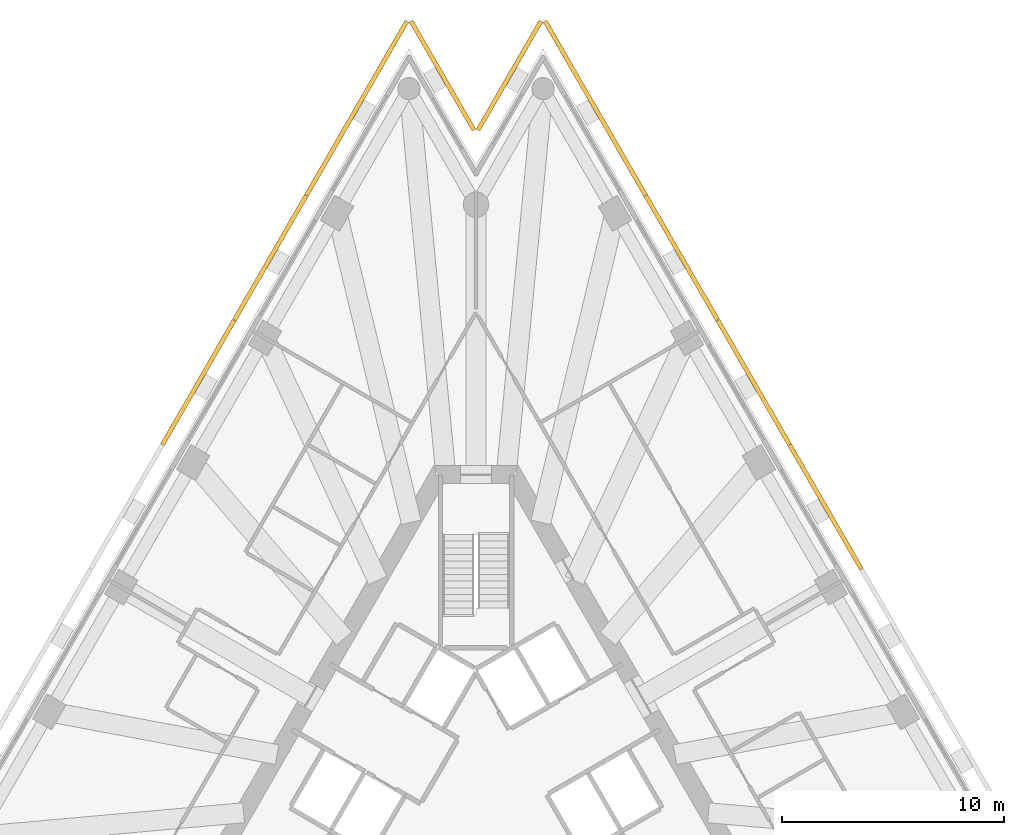
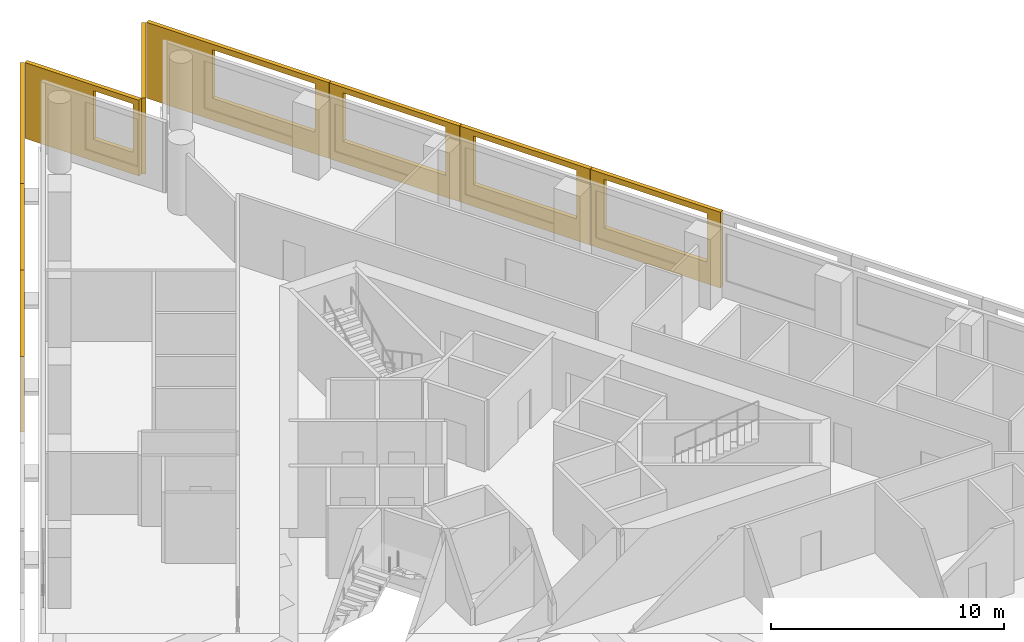
# One storey, part 9 of 9: 9 shading devices.
"""IFC4 building model written with IfcOpenShell, lengths in metres."""

from ifc_helpers import new_model, si_unit, direction, frame, origin, place, context, subcontext, project, spatial, polyline, outline, extrude, material, layer, layer_set, type_object, element, save


model = new_model("IFC4")

# Units and contexts
model_context = context("Model", 3, precision=1e-05, world=origin(), true_north=direction((0.0, 1.0)))
body_context = subcontext(model_context, "Body", "Model", "MODEL_VIEW")
ifc_project = project(units=[si_unit("LENGTHUNIT", "METRE"), si_unit("AREAUNIT", "SQUARE_METRE"), si_unit("VOLUMEUNIT", "CUBIC_METRE"), si_unit("PLANEANGLEUNIT", "RADIAN"), si_unit("MASSUNIT", "GRAM", prefix="KILO")], contexts=[model_context])

# Site, building, storey
site_placement = place(None, origin())
site = spatial("IfcSite", under=ifc_project, at=site_placement, CompositionType="ELEMENT")
building_placement = place(site_placement, origin())
building = spatial("IfcBuilding", under=site, at=building_placement, Name="Triada Interchange Tower", CompositionType="ELEMENT")
storey_placement = place(building_placement, frame((0.0, 0.0, 168.300048828125)))
storey = spatial("IfcBuildingStorey", under=building, at=storey_placement, Name="L39", CompositionType="ELEMENT", Elevation=168.300048828125)

# Shading devices
ifc_material = material(Name="Concrete C50/60 precast", Category="concrete")
ifc_layer_1 = layer(ifc_material, 0.02001953125, Name="Exposed aggregate face")
ifc_layer_2 = layer(ifc_material, 0.179931640625, Name="Precast concrete screen")
ifc_layer_set = layer_set([ifc_layer_1, ifc_layer_2], Name="Outer skin screen panel 3980")
shading_device_type = type_object("IfcShadingDeviceType", Name="Outer skin screen panel 3980", PredefinedType="SHUTTER", material=ifc_layer_set)
shading_device_1_placement = place(storey_placement, frame((-3.02197265625, 34.673095703125, -0.2900390625), z_axis=(0.0, 0.0, 1.0), x_axis=(-0.500002365587, -0.866024038008, 0.0)))
element("IfcShadingDevice", 1, at=shading_device_1_placement, inside=storey, type_object=shading_device_type, Name="Outer skin screen panel L39 01", PredefinedType="SHUTTER", context=body_context, shape_type="SweptSolid", body=[
    extrude(outline(polyline([(0.0, 0.0), (9.06005859375, 0.0), (9.06005859375, 3.97998046875), (0.0, 3.97998046875), (0.0, 0.0)]), holes=[polyline([(3.279541015625, 1.139892578125), (3.279541015625, 3.68994140625), (8.379638671875, 3.68994140625), (8.379638671875, 1.139892578125), (3.279541015625, 1.139892578125)])]), frame((0.0, 0.0, 0.0), z_axis=(0.0, -1.0, 0.0), x_axis=(1.0, 0.0, 0.0)), (0.0, 0.0, 1.0), 0.199951171875),
])
shading_device_2_placement = place(storey_placement, frame((-7.56201171875, 26.81005859375, -0.2900390625), z_axis=(0.0, 0.0, 1.0), x_axis=(-0.499933919793, -0.866063551849, 0.0)))
element("IfcShadingDevice", 2, at=shading_device_2_placement, inside=storey, type_object=shading_device_type, Name="Outer skin screen panel L39 02", PredefinedType="SHUTTER", context=body_context, shape_type="SweptSolid", body=[
    extrude(outline(polyline([(0.0, 0.0), (6.462646484375, 0.0), (6.462646484375, 3.97998046875), (0.0, 3.97998046875), (0.0, 0.0)]), holes=[polyline([(0.681396484375, 1.139892578125), (0.681396484375, 3.68994140625), (5.78125, 3.68994140625), (5.78125, 1.139892578125), (0.681396484375, 1.139892578125)])]), frame((0.0, 0.0, 0.0), z_axis=(0.0, -1.0, 0.0), x_axis=(1.0, 0.0, 0.0)), (0.0, 0.0, 1.0), 0.199951171875),
])
shading_device_3_placement = place(storey_placement, frame((-10.802978515625, 21.196044921875, -0.2900390625), z_axis=(0.0, 0.0, 1.0), x_axis=(-0.499950276492, -0.866054109762, 0.0)))
element("IfcShadingDevice", 3, at=shading_device_3_placement, inside=storey, type_object=shading_device_type, Name="Outer skin screen panel L39 03", PredefinedType="SHUTTER", context=body_context, shape_type="SweptSolid", body=[
    extrude(outline(polyline([(0.0, 0.0), (6.462646484375, 0.0), (6.462646484375, 3.97998046875), (0.0, 3.97998046875), (0.0, 0.0)]), holes=[polyline([(0.68115234375, 1.139892578125), (0.68115234375, 3.68994140625), (5.781005859375, 3.68994140625), (5.781005859375, 1.139892578125), (0.68115234375, 1.139892578125)])]), frame((0.0, 0.0, 0.0), z_axis=(0.0, -1.0, 0.0), x_axis=(1.0, 0.0, 0.0)), (0.0, 0.0, 1.0), 0.199951171875),
])
shading_device_4_placement = place(storey_placement, frame((17.27587890625, 9.986083984375, -0.2900390625), z_axis=(0.0, 0.0, 1.0), x_axis=(-0.500129044967, 0.865950886818, 0.0)))
element("IfcShadingDevice", 4, at=shading_device_4_placement, inside=storey, type_object=shading_device_type, Name="Outer skin screen panel L39 25", PredefinedType="SHUTTER", context=body_context, shape_type="SweptSolid", body=[
    extrude(outline(polyline([(0.0, 0.0), (6.462158203125, 0.0), (6.462158203125, 3.97998046875), (0.0, 3.97998046875), (0.0, 0.0)]), holes=[polyline([(0.681396484375, 1.139892578125), (0.681396484375, 3.68994140625), (5.781494140625, 3.68994140625), (5.781494140625, 1.139892578125), (0.681396484375, 1.139892578125)])]), frame((0.0, 0.0, 0.0), z_axis=(0.0, -1.0, 0.0), x_axis=(1.0, 0.0, 0.0)), (0.0, 0.0, 1.0), 0.199951171875),
])
shading_device_5_placement = place(storey_placement, frame((14.033935546875, 15.59912109375, -0.2900390625), z_axis=(0.0, 0.0, 1.0), x_axis=(-0.499950276492, 0.866054109762, 0.0)))
element("IfcShadingDevice", 5, at=shading_device_5_placement, inside=storey, type_object=shading_device_type, Name="Outer skin screen panel L39 26", PredefinedType="SHUTTER", context=body_context, shape_type="SweptSolid", body=[
    extrude(outline(polyline([(0.0, 0.0), (6.462646484375, 0.0), (6.462646484375, 3.97998046875), (0.0, 3.97998046875), (0.0, 0.0)]), holes=[polyline([(0.68115234375, 1.139892578125), (0.68115234375, 3.68994140625), (5.78125, 3.68994140625), (5.78125, 1.139892578125), (0.68115234375, 1.139892578125)])]), frame((0.0, 0.0, 0.0), z_axis=(0.0, -1.0, 0.0), x_axis=(1.0, 0.0, 0.0)), (0.0, 0.0, 1.0), 0.199951171875),
])
shading_device_6_placement = place(storey_placement, frame((10.79296875, 21.212890625, -0.2900390625), z_axis=(0.0, 0.0, 1.0), x_axis=(-0.499933919793, 0.866063551849, 0.0)))
element("IfcShadingDevice", 6, at=shading_device_6_placement, inside=storey, type_object=shading_device_type, Name="Outer skin screen panel L39 27", PredefinedType="SHUTTER", context=body_context, shape_type="SweptSolid", body=[
    extrude(outline(polyline([(0.0, 0.0), (6.462646484375, 0.0), (6.462646484375, 3.97998046875), (0.0, 3.97998046875), (0.0, 0.0)]), holes=[polyline([(0.680908203125, 1.139892578125), (0.680908203125, 3.68994140625), (5.781005859375, 3.68994140625), (5.781005859375, 1.139892578125), (0.680908203125, 1.139892578125)])]), frame((0.0, 0.0, 0.0), z_axis=(0.0, -1.0, 0.0), x_axis=(1.0, 0.0, 0.0)), (0.0, 0.0, 1.0), 0.199951171875),
])
shading_device_7_placement = place(storey_placement, frame((7.552001953125, 26.826904296875, -0.2900390625), z_axis=(0.0, 0.0, 1.0), x_axis=(-0.500002365587, 0.866024038008, 0.0)))
element("IfcShadingDevice", 7, at=shading_device_7_placement, inside=storey, type_object=shading_device_type, Name="Outer skin screen panel L39 28", PredefinedType="SHUTTER", context=body_context, shape_type="SweptSolid", body=[
    extrude(outline(polyline([(0.0, 0.0), (9.06005859375, 0.0), (9.06005859375, 3.97998046875), (0.0, 3.97998046875), (0.0, 0.0)]), holes=[polyline([(0.6806640625, 1.139892578125), (0.6806640625, 3.68994140625), (5.78076171875, 3.68994140625), (5.78076171875, 1.139892578125), (0.6806640625, 1.139892578125)])]), frame((0.0, 0.0, 0.0), z_axis=(0.0, -1.0, 0.0), x_axis=(1.0, 0.0, 0.0)), (0.0, 0.0, 1.0), 0.199951171875),
])
shading_device_8_placement = place(storey_placement, frame((3.011962890625, 34.673095703125, -0.2900390625), z_axis=(0.0, 0.0, 1.0), x_axis=(-0.50012397912, -0.865953812572, 0.0)))
element("IfcShadingDevice", 8, at=shading_device_8_placement, inside=storey, type_object=shading_device_type, Name="Outer skin screen panel L39 29", PredefinedType="SHUTTER", context=body_context, shape_type="SweptSolid", body=[
    extrude(outline(polyline([(0.0, 0.0), (5.66650390625, 0.0), (5.66650390625, 3.97998046875), (0.0, 3.97998046875), (0.0, 0.0)]), holes=[polyline([(3.175537109375, 1.139892578125), (3.175537109375, 3.68994140625), (5.3671875, 3.68994140625), (5.3671875, 1.139892578125), (3.175537109375, 1.139892578125)])]), frame((0.0, 0.0, 0.0), z_axis=(0.0, -1.0, 0.0), x_axis=(1.0, 0.0, 0.0)), (0.0, 0.0, 1.0), 0.199951171875),
])
shading_device_9_placement = place(storey_placement, frame((-0.177978515625, 29.76611328125, -0.2900390625), z_axis=(0.0, 0.0, 1.0), x_axis=(-0.50012397912, 0.865953812572, 0.0)))
element("IfcShadingDevice", 9, at=shading_device_9_placement, inside=storey, type_object=shading_device_type, Name="Outer skin screen panel L39 30", PredefinedType="SHUTTER", context=body_context, shape_type="SweptSolid", body=[
    extrude(outline(polyline([(0.0, 0.0), (5.66650390625, 0.0), (5.66650390625, 3.97998046875), (0.0, 3.97998046875), (0.0, 0.0)]), holes=[polyline([(0.300048828125, 1.139892578125), (0.300048828125, 3.68994140625), (2.2578125, 3.68994140625), (2.2578125, 1.139892578125), (0.300048828125, 1.139892578125)])]), frame((0.0, 0.0, 0.0), z_axis=(0.0, -1.0, 0.0), x_axis=(1.0, 0.0, 0.0)), (0.0, 0.0, 1.0), 0.199951171875),
])

save(model, "model.ifc")
